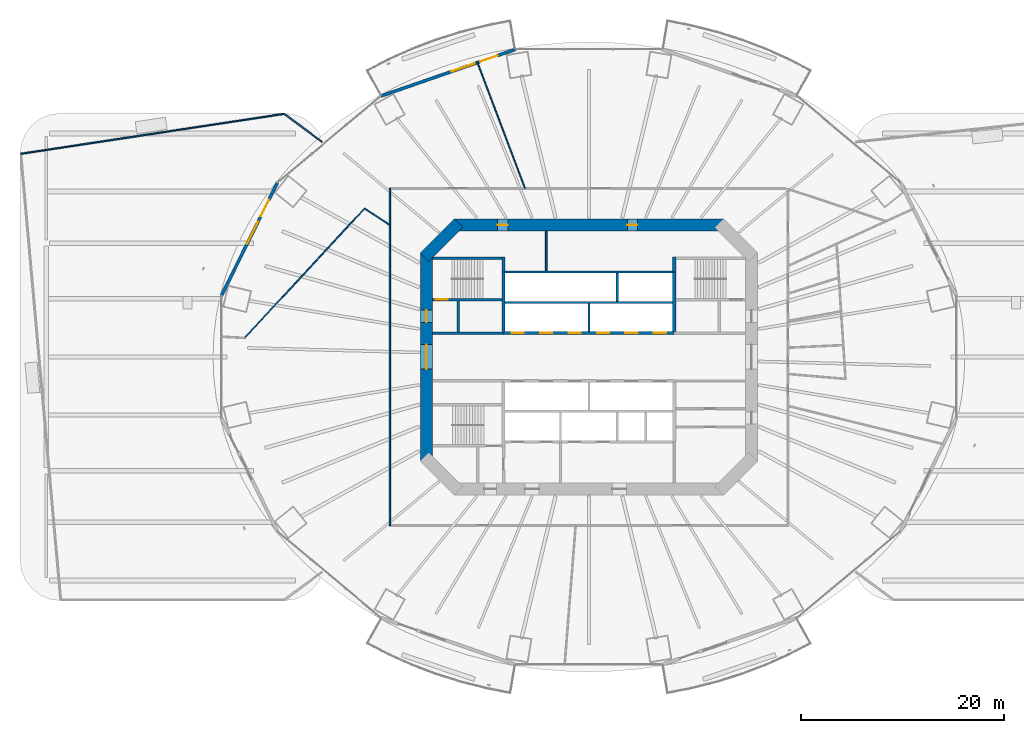
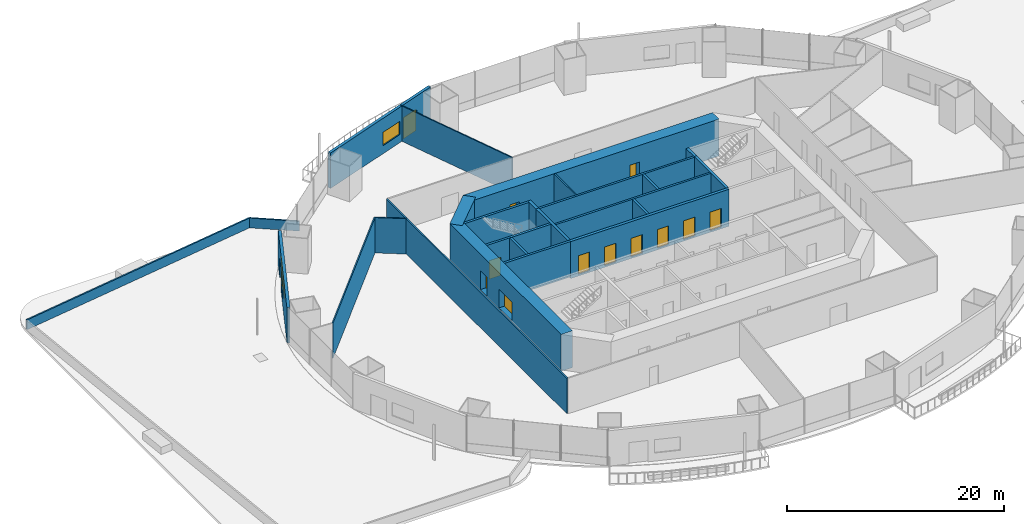
# One storey, part 19 of 27: 25 walls, 12 doors, 3 windows, 15 openings.
"""IFC4 building model written with IfcOpenShell, lengths in metres."""

from ifc_helpers import new_model, si_unit, direction, frame, frame_2d, origin, place, context, subcontext, project, spatial, rectangle, extrude, material, layer, layer_set, type_object, element, fill, save


model = new_model("IFC4")

# Units and contexts
model_context = context("Model", 3, precision=1e-05, world=origin(), true_north=direction((0.0, 1.0)))
body_context = subcontext(model_context, "Body", "Model", "MODEL_VIEW")
ifc_project = project(units=[si_unit("LENGTHUNIT", "METRE"), si_unit("AREAUNIT", "SQUARE_METRE"), si_unit("VOLUMEUNIT", "CUBIC_METRE"), si_unit("PLANEANGLEUNIT", "RADIAN"), si_unit("MASSUNIT", "GRAM", prefix="KILO")], contexts=[model_context])

# Site, building, storey
site_placement = place(None, origin())
site = spatial("IfcSite", under=ifc_project, at=site_placement, CompositionType="ELEMENT")
building_placement = place(site_placement, origin())
building = spatial("IfcBuilding", under=site, at=building_placement, Name="Marenthal Gate Tower", CompositionType="ELEMENT")
storey_placement = place(building_placement, frame((0.0, 0.0, 33.0)))
storey = spatial("IfcBuildingStorey", under=building, at=storey_placement, Name="L04", CompositionType="ELEMENT", Elevation=33.0)

# Wall, openings, doors
ifc_material_1 = material(Name="Concrete 60 MPa", Category="concrete")
ifc_layer_1 = layer(ifc_material_1, 1.199951171875)
ifc_layer_set_1 = layer_set([ifc_layer_1], Name="Core shear wall 1200")
wall_type_1 = type_object("IfcWallType", Name="Core shear wall 1200", PredefinedType="SHEAR", material=ifc_layer_set_1)
wall_1_placement = place(storey_placement, frame((13.24853515625, 13.0, -0.179931640625), z_axis=(0.0, 0.0, 1.0), x_axis=(-1.0, 0.0, 0.0)))
wall_1 = element("IfcWall", 1, at=wall_1_placement, inside=storey, type_object=wall_type_1, Name="Core wall 04", PredefinedType="SHEAR", context=body_context, shape_type="SweptSolid", body=[
    extrude(rectangle(XDim=26.4970703125, YDim=1.199951171875, at=frame_2d((13.24853515625, 0.0))), origin(), (0.0, 0.0, 1.0), 4.14990234375),
])
opening_1_placement = place(wall_1_placement, frame((21.224609375, 0.0, 0.179931640625)))
opening_1 = element("IfcOpeningElement", 2, at=opening_1_placement, cuts=wall_1, Name="Opening D005.01", PredefinedType="OPENING", context=body_context, shape_type="SweptSolid", body=[
    extrude(rectangle(XDim=1.0, YDim=2.10009765625, at=frame_2d((0.5, 1.050048828125))), frame((0.0, 0.60986328125, 0.0), z_axis=(0.0, -1.0, 0.0), x_axis=(1.0, 0.0, 0.0)), (0.0, 0.0, 1.0), 1.219970703125),
])
opening_2_placement = place(wall_1_placement, frame((8.472412109375, 0.0, 0.179931640625)))
opening_2 = element("IfcOpeningElement", 3, at=opening_2_placement, cuts=wall_1, Name="Opening D005.02", PredefinedType="OPENING", context=body_context, shape_type="SweptSolid", body=[
    extrude(rectangle(XDim=1.0, YDim=2.10009765625, at=frame_2d((0.5, 1.050048828125))), frame((0.0, 0.60986328125, 0.0), z_axis=(0.0, -1.0, 0.0), x_axis=(1.0, 0.0, 0.0)), (0.0, 0.0, 1.0), 1.219970703125),
])
ifc_material_2 = material(Name="Steel fire door", Category="steel")
door_type_1 = type_object("IfcDoorType", Name="Fire door FD 45 1000 x 2100", OperationType="NOTDEFINED", PredefinedType="DOOR", material=ifc_material_2)
door_1_placement = place(opening_1_placement, origin())
door_1 = element("IfcDoor", 4, at=door_1_placement, inside=storey, type_object=door_type_1, Name="Door D005.01", OperationType="SINGLE_SWING_RIGHT", OverallHeight=2.10009765625, OverallWidth=1.0, PredefinedType="DOOR", context=body_context, shape_type="SweptSolid", body=[
    extrude(rectangle(XDim=1.0, YDim=2.10009765625, at=frame_2d((0.5, 1.050048828125))), frame((0.0, 0.02490234375, 0.0), z_axis=(0.0, -1.0, 0.0), x_axis=(1.0, 0.0, 0.0)), (0.0, 0.0, 1.0), 0.050048828125),
])
fill(opening_1, door_1)
door_2_placement = place(opening_2_placement, origin())
door_2 = element("IfcDoor", 5, at=door_2_placement, inside=storey, type_object=door_type_1, Name="Door D005.02", OperationType="SINGLE_SWING_RIGHT", OverallHeight=2.10009765625, OverallWidth=1.0, PredefinedType="DOOR", context=body_context, shape_type="SweptSolid", body=[
    extrude(rectangle(XDim=1.0, YDim=2.10009765625, at=frame_2d((0.5, 1.050048828125))), frame((0.0, 0.02490234375, 0.0), z_axis=(0.0, -1.0, 0.0), x_axis=(1.0, 0.0, 0.0)), (0.0, 0.0, 1.0), 0.050048828125),
])
fill(opening_2, door_2)

# Wall
wall_2_placement = place(storey_placement, frame((-12.82421875, 13.17578125, -0.179931640625), z_axis=(0.0, 0.0, 1.0), x_axis=(-0.707106781187, -0.707106781187, 0.0)))
element("IfcWall", 6, at=wall_2_placement, inside=storey, type_object=wall_type_1, Name="Core wall 05", PredefinedType="SHEAR", context=body_context, shape_type="SweptSolid", body=[
    extrude(rectangle(XDim=4.73974609375, YDim=1.199951171875, at=frame_2d((2.369873046875, 0.0))), origin(), (0.0, 0.0, 1.0), 4.14990234375),
])

# Wall, openings, doors
wall_3_placement = place(storey_placement, frame((-16.0, 10.24853515625, -0.179931640625), z_axis=(0.0, 0.0, 1.0), x_axis=(0.0, -1.0, 0.0)))
wall_3 = element("IfcWall", 7, at=wall_3_placement, inside=storey, type_object=wall_type_1, Name="Core wall 06", PredefinedType="SHEAR", context=body_context, shape_type="SweptSolid", body=[
    extrude(rectangle(XDim=20.4970703125, YDim=1.199951171875, at=frame_2d((10.24853515625, 0.0))), origin(), (0.0, 0.0, 1.0), 4.14990234375),
])
opening_3_placement = place(wall_3_placement, frame((9.048583984375, 0.0, 0.179931640625)))
opening_3 = element("IfcOpeningElement", 8, at=opening_3_placement, cuts=wall_3, Name="Opening D003.01", PredefinedType="OPENING", context=body_context, shape_type="SweptSolid", body=[
    extrude(rectangle(XDim=2.39990234375, YDim=2.10009765625, at=frame_2d((1.199951171875, 1.050048828125))), frame((0.0, 0.60986328125, 0.0), z_axis=(0.0, -1.0, 0.0), x_axis=(1.0, 0.0, 0.0)), (0.0, 0.0, 1.0), 1.219970703125),
])
opening_4_placement = place(wall_3_placement, frame((5.6484375, 0.0, 0.179931640625)))
opening_4 = element("IfcOpeningElement", 9, at=opening_4_placement, cuts=wall_3, Name="Opening D001.04", PredefinedType="OPENING", context=body_context, shape_type="SweptSolid", body=[
    extrude(rectangle(XDim=1.199951171875, YDim=2.10009765625, at=frame_2d((0.60009765625, 1.050048828125))), frame((0.0, 0.60986328125, 0.0), z_axis=(0.0, -1.0, 0.0), x_axis=(1.0, 0.0, 0.0)), (0.0, 0.0, 1.0), 1.219970703125),
])
ifc_material_3 = material(Name="Steel fire door", Category="steel")
door_type_2 = type_object("IfcDoorType", Name="Double fire door FD 45 2400 x 2100", OperationType="DOUBLE_DOOR_SINGLE_SWING", PredefinedType="DOOR", material=ifc_material_3)
door_3_placement = place(opening_3_placement, origin())
door_3 = element("IfcDoor", 10, at=door_3_placement, inside=storey, type_object=door_type_2, Name="Door D003.01", OperationType="DOUBLE_DOOR_SINGLE_SWING", OverallHeight=2.10009765625, OverallWidth=2.39990234375, PredefinedType="DOOR", context=body_context, shape_type="SweptSolid", body=[
    extrude(rectangle(XDim=2.39990234375, YDim=2.10009765625, at=frame_2d((1.199951171875, 1.050048828125))), frame((0.0, 0.02490234375, 0.0), z_axis=(0.0, -1.0, 0.0), x_axis=(1.0, 0.0, 0.0)), (0.0, 0.0, 1.0), 0.050048828125),
])
fill(opening_3, door_3)
ifc_material_4 = material(Name="Steel fire door", Category="steel")
door_type_3 = type_object("IfcDoorType", Name="Fire door FD 90 1200 x 2100", OperationType="NOTDEFINED", PredefinedType="DOOR", material=ifc_material_4)
door_4_placement = place(opening_4_placement, origin())
door_4 = element("IfcDoor", 11, at=door_4_placement, inside=storey, type_object=door_type_3, Name="Door D001.04", OperationType="SINGLE_SWING_RIGHT", OverallHeight=2.10009765625, OverallWidth=1.199951171875, PredefinedType="DOOR", context=body_context, shape_type="SweptSolid", body=[
    extrude(rectangle(XDim=1.199951171875, YDim=2.10009765625, at=frame_2d((0.60009765625, 1.050048828125))), frame((0.0, 0.02490234375, 0.0), z_axis=(0.0, -1.0, 0.0), x_axis=(1.0, 0.0, 0.0)), (0.0, 0.0, 1.0), 0.050048828125),
])
fill(opening_4, door_4)

ifc_material_5 = material(Name="Concrete 50 MPa", Category="concrete")
ifc_layer_2 = layer(ifc_material_5, 0.300048828125)
ifc_layer_set_2 = layer_set([ifc_layer_2], Name="Hoistway shear wall 300")
wall_type_2 = type_object("IfcWallType", Name="Hoistway shear wall 300", PredefinedType="SHEAR", material=ifc_layer_set_2)
wall_4_placement = place(storey_placement, frame((-8.39990234375, 2.35009765625, -0.179931640625), z_axis=(0.0, 0.0, 1.0), x_axis=(1.0, 0.0, 0.0)))
wall_4 = element("IfcWall", 12, at=wall_4_placement, inside=storey, type_object=wall_type_2, Name="Hoistway wall 20", PredefinedType="SHEAR", context=body_context, shape_type="SweptSolid", body=[
    extrude(rectangle(XDim=16.7998046875, YDim=0.300048828125, at=frame_2d((8.39990234375, 0.0))), origin(), (0.0, 0.0, 1.0), 4.14990234375),
])
opening_5_placement = place(wall_4_placement, frame((0.800048828125, 0.0, 0.179931640625)))
opening_5 = element("IfcOpeningElement", 13, at=opening_5_placement, cuts=wall_4, Name="Opening LD-LP1", PredefinedType="OPENING", context=body_context, shape_type="SweptSolid", body=[
    extrude(rectangle(XDim=1.199951171875, YDim=2.10009765625, at=frame_2d((0.60009765625, 1.050048828125))), frame((0.0, 0.16015625, 0.0), z_axis=(0.0, -1.0, 0.0), x_axis=(1.0, 0.0, 0.0)), (0.0, 0.0, 1.0), 0.320068359375),
])
opening_6_placement = place(wall_4_placement, frame((3.60009765625, 0.0, 0.179931640625)))
opening_6 = element("IfcOpeningElement", 14, at=opening_6_placement, cuts=wall_4, Name="Opening LD-LP2", PredefinedType="OPENING", context=body_context, shape_type="SweptSolid", body=[
    extrude(rectangle(XDim=1.199951171875, YDim=2.10009765625, at=frame_2d((0.60009765625, 1.050048828125))), frame((0.0, 0.16015625, 0.0), z_axis=(0.0, -1.0, 0.0), x_axis=(1.0, 0.0, 0.0)), (0.0, 0.0, 1.0), 0.320068359375),
])
opening_7_placement = place(wall_4_placement, frame((6.39990234375, 0.0, 0.179931640625)))
opening_7 = element("IfcOpeningElement", 15, at=opening_7_placement, cuts=wall_4, Name="Opening LD-LP3", PredefinedType="OPENING", context=body_context, shape_type="SweptSolid", body=[
    extrude(rectangle(XDim=1.199951171875, YDim=2.10009765625, at=frame_2d((0.60009765625, 1.050048828125))), frame((0.0, 0.16015625, 0.0), z_axis=(0.0, -1.0, 0.0), x_axis=(1.0, 0.0, 0.0)), (0.0, 0.0, 1.0), 0.320068359375),
])
opening_8_placement = place(wall_4_placement, frame((9.199951171875, 0.0, 0.179931640625)))
opening_8 = element("IfcOpeningElement", 16, at=opening_8_placement, cuts=wall_4, Name="Opening LD-LP4", PredefinedType="OPENING", context=body_context, shape_type="SweptSolid", body=[
    extrude(rectangle(XDim=1.199951171875, YDim=2.10009765625, at=frame_2d((0.60009765625, 1.050048828125))), frame((0.0, 0.16015625, 0.0), z_axis=(0.0, -1.0, 0.0), x_axis=(1.0, 0.0, 0.0)), (0.0, 0.0, 1.0), 0.320068359375),
])
opening_9_placement = place(wall_4_placement, frame((12.0, 0.0, 0.179931640625)))
opening_9 = element("IfcOpeningElement", 17, at=opening_9_placement, cuts=wall_4, Name="Opening LD-LP5", PredefinedType="OPENING", context=body_context, shape_type="SweptSolid", body=[
    extrude(rectangle(XDim=1.199951171875, YDim=2.10009765625, at=frame_2d((0.60009765625, 1.050048828125))), frame((0.0, 0.16015625, 0.0), z_axis=(0.0, -1.0, 0.0), x_axis=(1.0, 0.0, 0.0)), (0.0, 0.0, 1.0), 0.320068359375),
])
opening_10_placement = place(wall_4_placement, frame((14.800048828125, 0.0, 0.179931640625)))
opening_10 = element("IfcOpeningElement", 18, at=opening_10_placement, cuts=wall_4, Name="Opening LD-LP6", PredefinedType="OPENING", context=body_context, shape_type="SweptSolid", body=[
    extrude(rectangle(XDim=1.199951171875, YDim=2.10009765625, at=frame_2d((0.60009765625, 1.050048828125))), frame((0.0, 0.16015625, 0.0), z_axis=(0.0, -1.0, 0.0), x_axis=(1.0, 0.0, 0.0)), (0.0, 0.0, 1.0), 0.320068359375),
])
ifc_material_6 = material(Name="Stainless steel sliding door", Category="steel")
door_type_4 = type_object("IfcDoorType", Name="Lift landing door FD 90 1200 x 2100", OperationType="DOUBLE_DOOR_SLIDING", PredefinedType="DOOR", material=ifc_material_6)
door_5_placement = place(opening_5_placement, origin())
door_5 = element("IfcDoor", 19, at=door_5_placement, inside=storey, type_object=door_type_4, Name="Lift landing door LP1", OperationType="DOUBLE_DOOR_SLIDING", OverallHeight=2.10009765625, OverallWidth=1.199951171875, PredefinedType="DOOR", context=body_context, shape_type="SweptSolid", body=[
    extrude(rectangle(XDim=1.199951171875, YDim=2.10009765625, at=frame_2d((0.60009765625, 1.050048828125))), frame((0.0, 0.02490234375, 0.0), z_axis=(0.0, -1.0, 0.0), x_axis=(1.0, 0.0, 0.0)), (0.0, 0.0, 1.0), 0.050048828125),
])
fill(opening_5, door_5)
door_6_placement = place(opening_6_placement, origin())
door_6 = element("IfcDoor", 20, at=door_6_placement, inside=storey, type_object=door_type_4, Name="Lift landing door LP2", OperationType="DOUBLE_DOOR_SLIDING", OverallHeight=2.10009765625, OverallWidth=1.199951171875, PredefinedType="DOOR", context=body_context, shape_type="SweptSolid", body=[
    extrude(rectangle(XDim=1.199951171875, YDim=2.10009765625, at=frame_2d((0.60009765625, 1.050048828125))), frame((0.0, 0.02490234375, 0.0), z_axis=(0.0, -1.0, 0.0), x_axis=(1.0, 0.0, 0.0)), (0.0, 0.0, 1.0), 0.050048828125),
])
fill(opening_6, door_6)
door_7_placement = place(opening_7_placement, origin())
door_7 = element("IfcDoor", 21, at=door_7_placement, inside=storey, type_object=door_type_4, Name="Lift landing door LP3", OperationType="DOUBLE_DOOR_SLIDING", OverallHeight=2.10009765625, OverallWidth=1.199951171875, PredefinedType="DOOR", context=body_context, shape_type="SweptSolid", body=[
    extrude(rectangle(XDim=1.199951171875, YDim=2.10009765625, at=frame_2d((0.60009765625, 1.050048828125))), frame((0.0, 0.02490234375, 0.0), z_axis=(0.0, -1.0, 0.0), x_axis=(1.0, 0.0, 0.0)), (0.0, 0.0, 1.0), 0.050048828125),
])
fill(opening_7, door_7)
door_8_placement = place(opening_8_placement, origin())
door_8 = element("IfcDoor", 22, at=door_8_placement, inside=storey, type_object=door_type_4, Name="Lift landing door LP4", OperationType="DOUBLE_DOOR_SLIDING", OverallHeight=2.10009765625, OverallWidth=1.199951171875, PredefinedType="DOOR", context=body_context, shape_type="SweptSolid", body=[
    extrude(rectangle(XDim=1.199951171875, YDim=2.10009765625, at=frame_2d((0.60009765625, 1.050048828125))), frame((0.0, 0.02490234375, 0.0), z_axis=(0.0, -1.0, 0.0), x_axis=(1.0, 0.0, 0.0)), (0.0, 0.0, 1.0), 0.050048828125),
])
fill(opening_8, door_8)
door_9_placement = place(opening_9_placement, origin())
door_9 = element("IfcDoor", 23, at=door_9_placement, inside=storey, type_object=door_type_4, Name="Lift landing door LP5", OperationType="DOUBLE_DOOR_SLIDING", OverallHeight=2.10009765625, OverallWidth=1.199951171875, PredefinedType="DOOR", context=body_context, shape_type="SweptSolid", body=[
    extrude(rectangle(XDim=1.199951171875, YDim=2.10009765625, at=frame_2d((0.60009765625, 1.050048828125))), frame((0.0, 0.02490234375, 0.0), z_axis=(0.0, -1.0, 0.0), x_axis=(1.0, 0.0, 0.0)), (0.0, 0.0, 1.0), 0.050048828125),
])
fill(opening_9, door_9)
door_10_placement = place(opening_10_placement, origin())
door_10 = element("IfcDoor", 24, at=door_10_placement, inside=storey, type_object=door_type_4, Name="Lift landing door LP6", OperationType="DOUBLE_DOOR_SLIDING", OverallHeight=2.10009765625, OverallWidth=1.199951171875, PredefinedType="DOOR", context=body_context, shape_type="SweptSolid", body=[
    extrude(rectangle(XDim=1.199951171875, YDim=2.10009765625, at=frame_2d((0.60009765625, 1.050048828125))), frame((0.0, 0.02490234375, 0.0), z_axis=(0.0, -1.0, 0.0), x_axis=(1.0, 0.0, 0.0)), (0.0, 0.0, 1.0), 0.050048828125),
])
fill(opening_10, door_10)

# Walls
for number, where, z_axis, x_axis, name in (
    (25, (-8.39990234375, 2.5, -0.179931640625), (0.0, 0.0, 1.0), (0.0, 1.0, 0.0), "Hoistway wall 32"),
    (26, (8.39990234375, 2.5, -0.179931640625), (0.0, 0.0, 1.0), (0.0, 1.0, 0.0), "Hoistway wall 44"),
):
    element("IfcWall", number, at=place(storey_placement, frame(where, z_axis=z_axis, x_axis=x_axis)), inside=storey, type_object=wall_type_2, Name=name, PredefinedType="SHEAR", context=body_context, shape_type="SweptSolid", body=[
        extrude(rectangle(XDim=5.85009765625, YDim=0.300048828125, at=frame_2d((2.925048828125, 0.0))), origin(), (0.0, 0.0, 1.0), 4.14990234375),
    ])
ifc_material_7 = material(Name="Concrete 40 MPa", Category="concrete")
ifc_layer_3 = layer(ifc_material_7, 0.219970703125)
ifc_layer_set_3 = layer_set([ifc_layer_3], Name="Hoistway wall 220")
wall_type_3 = type_object("IfcWallType", Name="Hoistway wall 220", PredefinedType="STANDARD", material=ifc_layer_set_3)
for number, where, z_axis, x_axis, name in (
    (27, (-8.25, 5.35009765625, 0.0), (0.0, 0.0, 1.0), (1.0, 0.0, 0.0), "Hoistway wall 22"),
    (28, (-8.25, 8.35009765625, 0.0), (0.0, 0.0, 1.0), (1.0, 0.0, 0.0), "Hoistway wall 25"),
):
    element("IfcWall", number, at=place(storey_placement, frame(where, z_axis=z_axis, x_axis=x_axis)), inside=storey, type_object=wall_type_3, Name=name, PredefinedType="STANDARD", context=body_context, shape_type="SweptSolid", body=[
        extrude(rectangle(XDim=16.5, YDim=0.219970703125, at=frame_2d((8.25, 0.0))), origin(), (0.0, 0.0, 1.0), 3.969970703125),
    ])
wall_5_placement = place(storey_placement, frame((0.0, 2.5, 0.0), z_axis=(0.0, 0.0, 1.0), x_axis=(0.0, 1.0, 0.0)))
element("IfcWall", 29, at=wall_5_placement, inside=storey, type_object=wall_type_3, Name="Hoistway wall 38", PredefinedType="STANDARD", context=body_context, shape_type="SweptSolid", body=[
    extrude(rectangle(XDim=2.739990234375, YDim=0.219970703125, at=frame_2d((1.3701171875, 0.0))), origin(), (0.0, 0.0, 1.0), 3.969970703125),
])
wall_6_placement = place(storey_placement, frame((2.800048828125, 5.4599609375, 0.0), z_axis=(0.0, 0.0, 1.0), x_axis=(0.0, 1.0, 0.0)))
element("IfcWall", 30, at=wall_6_placement, inside=storey, type_object=wall_type_3, Name="Hoistway wall 40", PredefinedType="STANDARD", context=body_context, shape_type="SweptSolid", body=[
    extrude(rectangle(XDim=2.780029296875, YDim=0.219970703125, at=frame_2d((1.39013671875, 0.0))), origin(), (0.0, 0.0, 1.0), 3.969970703125),
])
ifc_material_8 = material(Name="Gypsum board on steel studs", Category="steel")
ifc_layer_4 = layer(ifc_material_8, 0.1201171875)
ifc_layer_set_4 = layer_set([ifc_layer_4], Name="Partition 120")
wall_type_4 = type_object("IfcWallType", Name="Partition 120", PredefinedType="PARTITIONING", material=ifc_layer_set_4)
wall_7_placement = place(storey_placement, frame((-22.07470703125, 14.6162109375, 0.0), z_axis=(0.0, 0.0, 1.0), x_axis=(-0.680070131549, -0.733147063129, 0.0)))
element("IfcWall", 31, at=wall_7_placement, inside=storey, type_object=wall_type_4, Name="Partition wall 48", PredefinedType="PARTITIONING", context=body_context, shape_type="SweptSolid", body=[
    extrude(rectangle(XDim=17.382568359375, YDim=0.1201171875, at=frame_2d((8.69140625, 0.0))), origin(), (0.0, 0.0, 1.0), 3.969970703125),
])
wall_8_placement = place(storey_placement, frame((-22.07470703125, 14.6162109375, 0.0), z_axis=(0.0, 0.0, 1.0), x_axis=(0.833767380318, -0.552115889571, 0.0)))
element("IfcWall", 32, at=wall_8_placement, inside=storey, type_object=wall_type_4, Name="Partition wall 49", PredefinedType="PARTITIONING", context=body_context, shape_type="SweptSolid", body=[
    extrude(rectangle(XDim=2.968017578125, YDim=0.1201171875, at=frame_2d((1.48388671875, 0.0))), origin(), (0.0, 0.0, 1.0), 3.969970703125),
])
wall_9_placement = place(storey_placement, frame((-6.286865234375, 16.60009765625, 0.0), z_axis=(0.0, 0.0, 1.0), x_axis=(-0.35419259506, 0.935172500453, 0.0)))
element("IfcWall", 33, at=wall_9_placement, inside=storey, type_object=wall_type_4, Name="Partition wall 52", PredefinedType="PARTITIONING", context=body_context, shape_type="SweptSolid", body=[
    extrude(rectangle(XDim=13.233642578125, YDim=0.1201171875, at=frame_2d((6.61669921875, 0.0))), origin(), (0.0, 0.0, 1.0), 3.969970703125),
])
ifc_material_9 = material(Name="Gypsum board on steel studs", Category="steel")
ifc_layer_5 = layer(ifc_material_9, 0.14990234375)
ifc_layer_set_5 = layer_set([ifc_layer_5], Name="Partition 150")
wall_type_5 = type_object("IfcWallType", Name="Partition 150", PredefinedType="PARTITIONING", material=ifc_layer_set_5)
wall_10_placement = place(storey_placement, frame((-4.199951171875, 8.4599609375, 0.0), z_axis=(0.0, 0.0, 1.0), x_axis=(0.0, 1.0, 0.0)))
element("IfcWall", 34, at=wall_10_placement, inside=storey, type_object=wall_type_5, Name="Partition wall 34", PredefinedType="PARTITIONING", context=body_context, shape_type="SweptSolid", body=[
    extrude(rectangle(XDim=3.93994140625, YDim=0.14990234375, at=frame_2d((1.969970703125, 0.0))), origin(), (0.0, 0.0, 1.0), 3.969970703125),
])
wall_11_placement = place(storey_placement, frame((-19.60009765625, -16.60009765625, 0.0), z_axis=(0.0, 0.0, 1.0), x_axis=(0.0, 1.0, 0.0)))
element("IfcWall", 35, at=wall_11_placement, inside=storey, type_object=wall_type_5, Name="Partition wall 50", PredefinedType="PARTITIONING", context=body_context, shape_type="SweptSolid", body=[
    extrude(rectangle(XDim=33.2001953125, YDim=0.14990234375, at=frame_2d((16.60009765625, 0.0))), origin(), (0.0, 0.0, 1.0), 3.969970703125),
])
ifc_material_10 = material(Name="Concrete 40 MPa", Category="concrete")
ifc_layer_6 = layer(ifc_material_10, 0.25)
ifc_layer_set_6 = layer_set([ifc_layer_6], Name="Stair enclosure wall 250")
wall_type_6 = type_object("IfcWallType", Name="Stair enclosure wall 250", PredefinedType="STANDARD", material=ifc_layer_set_6)
wall_12_placement = place(storey_placement, frame((-15.39990234375, 2.35009765625, 0.0), z_axis=(0.0, 0.0, 1.0), x_axis=(1.0, 0.0, 0.0)))
element("IfcWall", 36, at=wall_12_placement, inside=storey, type_object=wall_type_6, Name="Stair wall 19", PredefinedType="STANDARD", context=body_context, shape_type="SweptSolid", body=[
    extrude(rectangle(XDim=7.0, YDim=0.25, at=frame_2d((3.5, 0.0))), origin(), (0.0, 0.0, 1.0), 3.969970703125),
])
wall_13_placement = place(storey_placement, frame((-12.85009765625, 2.47509765625, 0.0), z_axis=(0.0, 0.0, 1.0), x_axis=(0.0, 1.0, 0.0)))
element("IfcWall", 37, at=wall_13_placement, inside=storey, type_object=wall_type_6, Name="Stair wall 28", PredefinedType="STANDARD", context=body_context, shape_type="SweptSolid", body=[
    extrude(rectangle(XDim=3.0498046875, YDim=0.25, at=frame_2d((1.52490234375, 0.0))), origin(), (0.0, 0.0, 1.0), 3.969970703125),
])

# Wall, opening, door
ifc_material_11 = material(Name="Concrete 50 MPa", Category="concrete")
ifc_layer_7 = layer(ifc_material_11, 0.25)
ifc_layer_set_7 = layer_set([ifc_layer_7], Name="Stair shear wall 250")
wall_type_7 = type_object("IfcWallType", Name="Stair shear wall 250", PredefinedType="SHEAR", material=ifc_layer_set_7)
wall_14_placement = place(storey_placement, frame((-15.39990234375, 5.64990234375, -0.179931640625), z_axis=(0.0, 0.0, 1.0), x_axis=(1.0, 0.0, 0.0)))
wall_14 = element("IfcWall", 38, at=wall_14_placement, inside=storey, type_object=wall_type_7, Name="Stair wall 23", PredefinedType="SHEAR", context=body_context, shape_type="SweptSolid", body=[
    extrude(rectangle(XDim=6.849853515625, YDim=0.25, at=frame_2d((3.4248046875, 0.0))), origin(), (0.0, 0.0, 1.0), 4.14990234375),
])
opening_11_placement = place(wall_14_placement, frame((0.300048828125, 0.0, 0.179931640625)))
opening_11 = element("IfcOpeningElement", 39, at=opening_11_placement, cuts=wall_14, Name="Opening D001.01", PredefinedType="OPENING", context=body_context, shape_type="SweptSolid", body=[
    extrude(rectangle(XDim=1.199951171875, YDim=2.10009765625, at=frame_2d((0.60009765625, 1.050048828125))), frame((0.0, 0.135009765625, 0.0), z_axis=(0.0, -1.0, 0.0), x_axis=(1.0, 0.0, 0.0)), (0.0, 0.0, 1.0), 0.27001953125),
])
door_11_placement = place(opening_11_placement, origin())
door_11 = element("IfcDoor", 40, at=door_11_placement, inside=storey, type_object=door_type_3, Name="Door D001.01", OperationType="SINGLE_SWING_RIGHT", OverallHeight=2.10009765625, OverallWidth=1.199951171875, PredefinedType="DOOR", context=body_context, shape_type="SweptSolid", body=[
    extrude(rectangle(XDim=1.199951171875, YDim=2.10009765625, at=frame_2d((0.60009765625, 1.050048828125))), frame((0.0, 0.02490234375, 0.0), z_axis=(0.0, -1.0, 0.0), x_axis=(1.0, 0.0, 0.0)), (0.0, 0.0, 1.0), 0.050048828125),
])
fill(opening_11, door_11)

# Walls
wall_15_placement = place(storey_placement, frame((-15.39990234375, 9.699951171875, -0.179931640625), z_axis=(0.0, 0.0, 1.0), x_axis=(1.0, 0.0, 0.0)))
element("IfcWall", 41, at=wall_15_placement, inside=storey, type_object=wall_type_7, Name="Stair wall 26", PredefinedType="SHEAR", context=body_context, shape_type="SweptSolid", body=[
    extrude(rectangle(XDim=6.849853515625, YDim=0.25, at=frame_2d((3.4248046875, 0.0))), origin(), (0.0, 0.0, 1.0), 4.14990234375),
])
ifc_material_12 = material(Name="Concrete 50 MPa", Category="concrete")
ifc_layer_8 = layer(ifc_material_12, 0.300048828125)
ifc_layer_set_8 = layer_set([ifc_layer_8], Name="Stair shear wall 300")
wall_type_8 = type_object("IfcWallType", Name="Stair shear wall 300", PredefinedType="SHEAR", material=ifc_layer_set_8)
for number, where, z_axis, x_axis, name in (
    (42, (-8.39990234375, 8.35009765625, -0.179931640625), (0.0, 0.0, 1.0), (0.0, 1.0, 0.0), "Stair wall 33"),
    (43, (8.39990234375, 8.35009765625, -0.179931640625), (0.0, 0.0, 1.0), (0.0, 1.0, 0.0), "Stair wall 45"),
):
    element("IfcWall", number, at=place(storey_placement, frame(where, z_axis=z_axis, x_axis=x_axis)), inside=storey, type_object=wall_type_8, Name=name, PredefinedType="SHEAR", context=body_context, shape_type="SweptSolid", body=[
        extrude(rectangle(XDim=1.474853515625, YDim=0.300048828125, at=frame_2d((0.7373046875, 0.0))), origin(), (0.0, 0.0, 1.0), 4.14990234375),
    ])

# Wall, openings, door, window
ifc_material_13 = material(Name="Terracotta cladding on insulated concrete-block backing", Category="masonry")
ifc_layer_9 = layer(ifc_material_13, 0.300048828125)
ifc_layer_set_9 = layer_set([ifc_layer_9], Name="Terracotta facade wall 300")
wall_type_9 = type_object("IfcWallType", Name="Terracotta facade wall 300", PredefinedType="SOLIDWALL", material=ifc_layer_set_9)
wall_16_placement = place(storey_placement, frame((-7.19482421875, 30.28662109375, 0.0), z_axis=(0.0, 0.0, 1.0), x_axis=(-0.944791803015, -0.327671251341, 0.0)))
wall_16 = element("IfcWall", 44, at=wall_16_placement, inside=storey, type_object=wall_type_9, Name="Terracotta facade wall L04 bay 5", PredefinedType="SOLIDWALL", context=body_context, shape_type="SweptSolid", body=[
    extrude(rectangle(XDim=14.071533203125, YDim=0.300048828125, at=frame_2d((7.03564453125, 0.0))), origin(), (0.0, 0.0, 1.0), 3.969970703125),
])
opening_12_placement = place(wall_16_placement, frame((1.89990234375, 0.0, 0.0)))
opening_12 = element("IfcOpeningElement", 45, at=opening_12_placement, cuts=wall_16, Name="Opening BD-L04-05", PredefinedType="OPENING", context=body_context, shape_type="SweptSolid", body=[
    extrude(rectangle(XDim=1.800048828125, YDim=2.39990234375, at=frame_2d((0.89990234375, 1.199951171875))), frame((0.0, 0.16015625, 0.0), z_axis=(0.0, -1.0, 0.0), x_axis=(1.0, 0.0, 0.0)), (0.0, 0.0, 1.0), 0.320068359375),
])
opening_13_placement = place(wall_16_placement, frame((4.300048828125, 0.0, 0.89990234375)))
opening_13 = element("IfcOpeningElement", 46, at=opening_13_placement, cuts=wall_16, Name="Opening WN1-L04-05", PredefinedType="OPENING", context=body_context, shape_type="SweptSolid", body=[
    extrude(rectangle(XDim=2.39990234375, YDim=1.5, at=frame_2d((1.199951171875, 0.75))), frame((0.0, 0.16015625, 0.0), z_axis=(0.0, -1.0, 0.0), x_axis=(1.0, 0.0, 0.0)), (0.0, 0.0, 1.0), 0.320068359375),
])
ifc_material_14 = material(Name="Aluminium and glass", Category="aluminium")
door_type_5 = type_object("IfcDoorType", Name="Balcony door 1800x2400", OperationType="DOUBLE_DOOR_SINGLE_SWING", PredefinedType="DOOR", material=ifc_material_14)
door_12_placement = place(opening_12_placement, origin())
door_12 = element("IfcDoor", 47, at=door_12_placement, inside=storey, type_object=door_type_5, Name="Balcony door L04 bay 5", OperationType="SINGLE_SWING_LEFT", OverallHeight=2.39990234375, OverallWidth=1.800048828125, PredefinedType="DOOR", context=body_context, shape_type="SweptSolid", body=[
    extrude(rectangle(XDim=1.800048828125, YDim=2.39990234375, at=frame_2d((0.89990234375, 1.199951171875))), frame((0.0, 0.02490234375, 0.0), z_axis=(0.0, -1.0, 0.0), x_axis=(1.0, 0.0, 0.0)), (0.0, 0.0, 1.0), 0.050048828125),
])
fill(opening_12, door_12)
ifc_material_15 = material(Name="Aluminium and glass", Category="aluminium")
window_type_1 = type_object("IfcWindowType", Name="Window 2400x1500", PartitioningType="TRIPLE_PANEL_VERTICAL", PredefinedType="WINDOW", material=ifc_material_15)
window_1_placement = place(opening_13_placement, origin())
window_1 = element("IfcWindow", 48, at=window_1_placement, inside=storey, type_object=window_type_1, Name="Window L04 bay 5", OverallHeight=1.5, OverallWidth=2.39990234375, PartitioningType="SINGLE_PANEL", PredefinedType="WINDOW", context=body_context, shape_type="SweptSolid", body=[
    extrude(rectangle(XDim=2.39990234375, YDim=1.5, at=frame_2d((1.199951171875, 0.75))), frame((0.0, 0.030029296875, 0.0), z_axis=(0.0, -1.0, 0.0), x_axis=(1.0, 0.0, 0.0)), (0.0, 0.0, 1.0), 0.06005859375),
])
fill(opening_13, window_1)

# Wall, openings, windows
wall_17_placement = place(storey_placement, frame((-30.66455078125, 17.156005859375, 0.0), z_axis=(0.0, 0.0, 1.0), x_axis=(-0.443411588907, -0.896318114747, 0.0)))
wall_17 = element("IfcWall", 49, at=wall_17_placement, inside=storey, type_object=wall_type_9, Name="Terracotta facade wall L04 bay 7", PredefinedType="SOLIDWALL", context=body_context, shape_type="SweptSolid", body=[
    extrude(rectangle(XDim=12.419189453125, YDim=0.300048828125, at=frame_2d((6.20947265625, 0.0))), origin(), (0.0, 0.0, 1.0), 3.969970703125),
])
opening_14_placement = place(wall_17_placement, frame((1.89990234375, 0.0, 0.0)))
opening_14 = element("IfcOpeningElement", 50, at=opening_14_placement, cuts=wall_17, Name="Opening WN8-L04-07", PredefinedType="OPENING", context=body_context, shape_type="SweptSolid", body=[
    extrude(rectangle(XDim=1.800048828125, YDim=2.39990234375, at=frame_2d((0.89990234375, 1.199951171875))), frame((0.0, 0.16015625, 0.0), z_axis=(0.0, -1.0, 0.0), x_axis=(1.0, 0.0, 0.0)), (0.0, 0.0, 1.0), 0.320068359375),
])
opening_15_placement = place(wall_17_placement, frame((4.300048828125, 0.0, 0.89990234375)))
opening_15 = element("IfcOpeningElement", 51, at=opening_15_placement, cuts=wall_17, Name="Opening WN1-L04-07", PredefinedType="OPENING", context=body_context, shape_type="SweptSolid", body=[
    extrude(rectangle(XDim=2.39990234375, YDim=1.5, at=frame_2d((1.199951171875, 0.75))), frame((0.0, 0.16015625, 0.0), z_axis=(0.0, -1.0, 0.0), x_axis=(1.0, 0.0, 0.0)), (0.0, 0.0, 1.0), 0.320068359375),
])
ifc_material_16 = material(Name="Aluminium and glass", Category="aluminium")
window_type_2 = type_object("IfcWindowType", Name="Terracotta SCREEN 30", PartitioningType="DOUBLE_PANEL_VERTICAL", PredefinedType="WINDOW", material=ifc_material_16)
window_2_placement = place(opening_14_placement, origin())
window_2 = element("IfcWindow", 52, at=window_2_placement, inside=storey, type_object=window_type_2, Name="Glazed screen L04 bay 7", OverallHeight=2.39990234375, OverallWidth=1.800048828125, PartitioningType="SINGLE_PANEL", PredefinedType="WINDOW", context=body_context, shape_type="SweptSolid", body=[
    extrude(rectangle(XDim=1.800048828125, YDim=2.39990234375, at=frame_2d((0.89990234375, 1.199951171875))), frame((0.0, 0.030029296875, 0.0), z_axis=(0.0, -1.0, 0.0), x_axis=(1.0, 0.0, 0.0)), (0.0, 0.0, 1.0), 0.06005859375),
])
fill(opening_14, window_2)
window_3_placement = place(opening_15_placement, origin())
window_3 = element("IfcWindow", 53, at=window_3_placement, inside=storey, type_object=window_type_1, Name="Window L04 bay 7", OverallHeight=1.5, OverallWidth=2.39990234375, PartitioningType="SINGLE_PANEL", PredefinedType="WINDOW", context=body_context, shape_type="SweptSolid", body=[
    extrude(rectangle(XDim=2.39990234375, YDim=1.5, at=frame_2d((1.199951171875, 0.75))), frame((0.0, 0.030029296875, 0.0), z_axis=(0.0, -1.0, 0.0), x_axis=(1.0, 0.0, 0.0)), (0.0, 0.0, 1.0), 0.06005859375),
])
fill(opening_15, window_3)

# Walls
ifc_material_17 = material(Name="Concrete 40 MPa", Category="concrete")
ifc_layer_10 = layer(ifc_material_17, 0.14990234375)
ifc_layer_set_10 = layer_set([ifc_layer_10], Name="Wing roof parapet 150")
wall_type_10 = type_object("IfcWallType", Name="Wing roof parapet 150", PredefinedType="PARAPET", material=ifc_layer_set_10)
wall_18_placement = place(storey_placement, frame((-55.925048828125, 19.9951171875, -0.0400390625), z_axis=(0.0, 0.0, 1.0), x_axis=(0.988700619383, 0.149903586454, 0.0)))
element("IfcWall", 54, at=wall_18_placement, inside=storey, type_object=wall_type_10, Name="Wing roof parapet W3", PredefinedType="PARAPET", context=body_context, shape_type="SweptSolid", body=[
    extrude(rectangle(XDim=26.21630859375, YDim=0.14990234375, at=frame_2d((13.108154296875, 0.0))), origin(), (0.0, 0.0, 1.0), 1.10009765625),
])
wall_19_placement = place(storey_placement, frame((-30.0048828125, 23.925048828125, -0.0400390625), z_axis=(0.0, 0.0, 1.0), x_axis=(0.803923802622, -0.594732309176, 0.0)))
element("IfcWall", 55, at=wall_19_placement, inside=storey, type_object=wall_type_10, Name="Wing roof parapet W4", PredefinedType="PARAPET", context=body_context, shape_type="SweptSolid", body=[
    extrude(rectangle(XDim=4.64599609375, YDim=0.14990234375, at=frame_2d((2.322998046875, 0.0))), origin(), (0.0, 0.0, 1.0), 1.10009765625),
])

save(model, "model.ifc")
